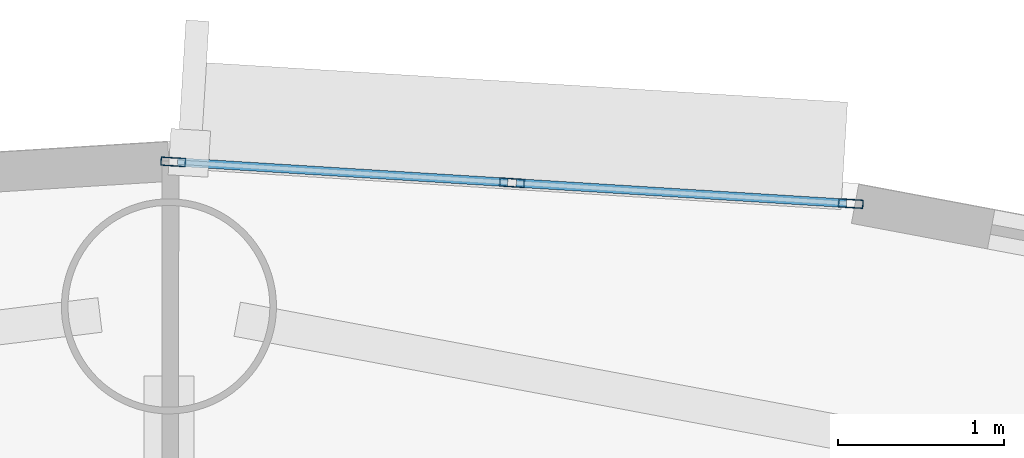
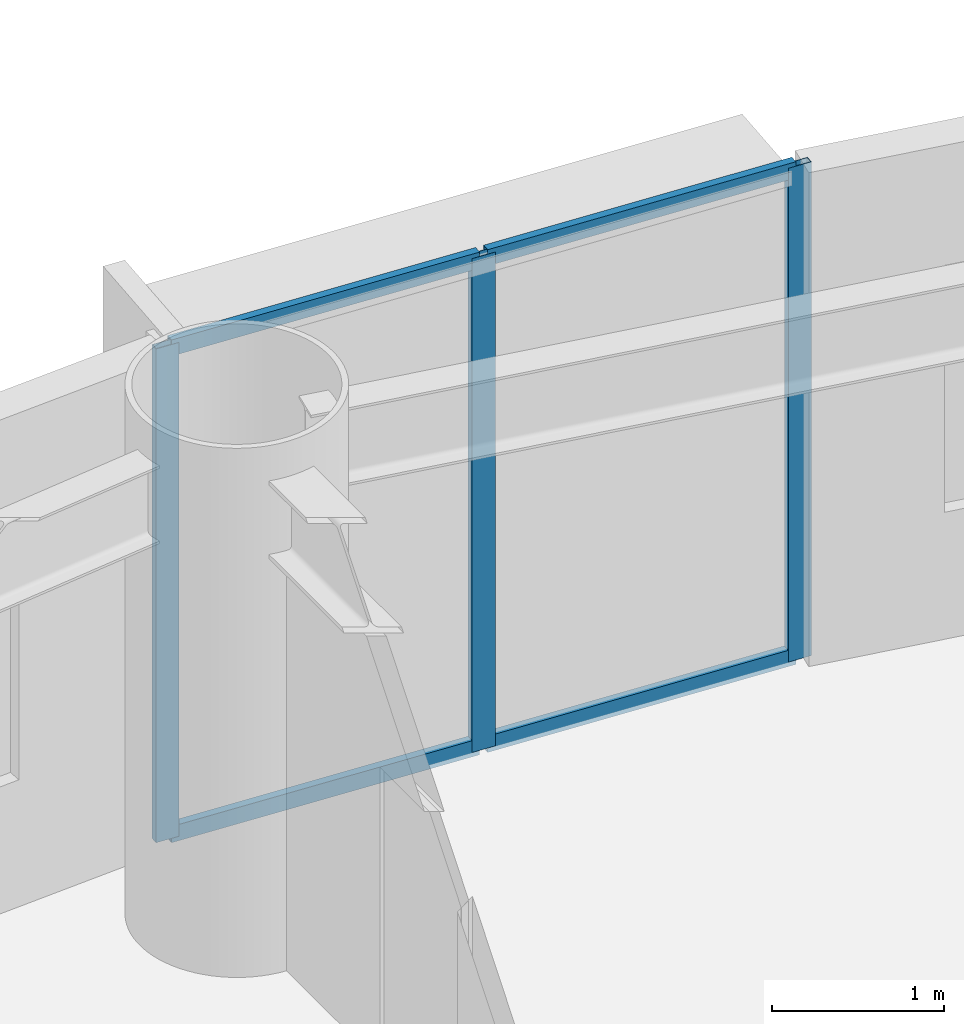
# One storey, part 4 of 18: 7 members, 1 element without a shape of its own.
"""IFC4 building model written with IfcOpenShell, lengths in metres."""

from ifc_helpers import new_model, si_unit, direction, frame, origin, origin_2d, place, context, subcontext, project, spatial, hollow_rectangle, extrude, source, transform, mapped, material, layer, layer_set, material_profile, profile_set, type_object, element, aggregate, save


model = new_model("IFC4")

# Units and contexts
model_context = context("Model", 3, precision=1e-05, world=origin(), true_north=direction((0.0, 1.0)))
body_context = subcontext(model_context, "Body", "Model", "MODEL_VIEW")
ifc_project = project(units=[si_unit("LENGTHUNIT", "METRE"), si_unit("AREAUNIT", "SQUARE_METRE"), si_unit("VOLUMEUNIT", "CUBIC_METRE"), si_unit("PLANEANGLEUNIT", "RADIAN"), si_unit("MASSUNIT", "GRAM", prefix="KILO")], contexts=[model_context])

# Site, building, storey
site_placement = place(None, origin())
site = spatial("IfcSite", under=ifc_project, at=site_placement, CompositionType="ELEMENT")
building_placement = place(site_placement, origin())
building = spatial("IfcBuilding", under=site, at=building_placement, Name="Linh Dai School and Residence Tower", CompositionType="ELEMENT")
storey_placement = place(building_placement, frame((0.0, 0.0, 178.64990234375)))
storey = spatial("IfcBuildingStorey", under=building, at=storey_placement, Name="L43", CompositionType="ELEMENT", Elevation=178.64990234375)

# Curtain wall, members
ifc_material_1 = material(Name="Aluminium Anodised Curtain Wall", Category="aluminium")
ifc_layer = layer(ifc_material_1, 0.14990234375)
ifc_layer_set = layer_set([ifc_layer], Name="Aluminium Anodised Curtain Wall")
curtain_wall_type = type_object("IfcCurtainWallType", Name="CW-SYS-4", PredefinedType="USERDEFINED", material=ifc_layer_set)
curtain_wall_placement = place(storey_placement, origin())
curtain_wall = element("IfcCurtainWall", 1, at=curtain_wall_placement, inside=storey, type_object=curtain_wall_type, Name="L43 CW4 Curtain Wall 10", ObjectType="RIBBON CURTAIN WALL", PredefinedType="USERDEFINED")
ifc_material_2 = material(Name="Aluminium Alloy 6063-T6", Category="aluminium")
ifc_material_profile_1 = material_profile(ifc_material_2, hollow_rectangle(XDim=0.052001953125, YDim=0.14990234375, WallThickness=0.00390625, at=origin_2d()), Name="RHS 150x52x4")
ifc_profile_set_1 = profile_set([ifc_material_profile_1], Name="Aluminium Alloy 6063-T6")
member_type_1 = type_object("IfcMemberType", Name="CW-SYS-4-MUL", PredefinedType="MULLION", material=ifc_profile_set_1)
shared_shape_1 = source(origin(), body_context, "Body", "SweptSolid", [
    extrude(hollow_rectangle(XDim=0.052001953125, YDim=0.14990234375, WallThickness=0.00390625, at=origin_2d()), origin(), (0.0, 0.0, 1.0), 3.5),
])
member_1_placement = place(storey_placement, frame((36.02587890625, 47.703369140625, 0.0), z_axis=(0.0, 0.0, 1.0), x_axis=(0.061512376467, 0.99810632076, 0.0)))
member_1 = element("IfcMember", 2, at=member_1_placement, type_object=member_type_1, Name="CW4 mullion 1", PredefinedType="MULLION", context=body_context, shape_type="MappedRepresentation", body=[
    mapped(shared_shape_1, transform((0.0, 0.0, 0.0), x_axis=(1.0, 0.0, 0.0), y_axis=(0.0, 1.0, 0.0), z_axis=(0.0, 0.0, 1.0), scale=1.0)),
])
member_2_placement = place(storey_placement, frame((38.072998046875, 47.5771484375, 0.0), z_axis=(0.0, 0.0, 1.0), x_axis=(0.061512376467, 0.99810632076, 0.0)))
member_2 = element("IfcMember", 3, at=member_2_placement, type_object=member_type_1, Name="CW4 mullion 2", PredefinedType="MULLION", context=body_context, shape_type="MappedRepresentation", body=[
    mapped(shared_shape_1, transform((0.0, 0.0, 0.0), x_axis=(1.0, 0.0, 0.0), y_axis=(0.0, 1.0, 0.0), z_axis=(0.0, 0.0, 1.0), scale=1.0)),
])
member_3_placement = place(storey_placement, frame((40.119873046875, 47.451171875, 0.0), z_axis=(0.0, 0.0, 1.0), x_axis=(0.061512376467, 0.99810632076, 0.0)))
member_3 = element("IfcMember", 4, at=member_3_placement, type_object=member_type_1, Name="CW4 mullion 3", PredefinedType="MULLION", context=body_context, shape_type="MappedRepresentation", body=[
    mapped(shared_shape_1, transform((0.0, 0.0, 0.0), x_axis=(1.0, 0.0, 0.0), y_axis=(0.0, 1.0, 0.0), z_axis=(0.0, 0.0, 1.0), scale=1.0)),
])
ifc_material_profile_2 = material_profile(ifc_material_2, hollow_rectangle(XDim=0.052001953125, YDim=0.114990234375, WallThickness=0.00390625, at=origin_2d()), Name="RHS 115x52x4")
ifc_profile_set_2 = profile_set([ifc_material_profile_2], Name="Aluminium Alloy 6063-T6")
member_type_2 = type_object("IfcMemberType", Name="CW-SYS-4-TRN", PredefinedType="USERDEFINED", material=ifc_profile_set_2)
shared_shape_2 = source(origin(), body_context, "Body", "SweptSolid", [
    extrude(hollow_rectangle(XDim=0.052001953125, YDim=0.114990234375, WallThickness=0.00390625, at=origin_2d()), origin(), (0.0, 0.0, 1.0), 1.998779296875),
])
member_4_placement = place(storey_placement, frame((36.052001953125, 47.701904296875, 0.026123046875), z_axis=(0.998103103786, -0.061564553214, 0.0), x_axis=(0.061564553214, 0.998103103786, 0.0)))
member_4 = element("IfcMember", 5, at=member_4_placement, type_object=member_type_2, Name="CW4 transom 1.1", ObjectType="TRANSOM", PredefinedType="USERDEFINED", context=body_context, shape_type="MappedRepresentation", body=[
    mapped(shared_shape_2, transform((0.0, 0.0, 0.0), x_axis=(1.0, 0.0, 0.0), y_axis=(0.0, 1.0, 0.0), z_axis=(0.0, 0.0, 1.0), scale=1.0)),
])
member_5_placement = place(storey_placement, frame((36.052001953125, 47.701904296875, 3.47412109375), z_axis=(0.998103103786, -0.061564553214, 0.0), x_axis=(0.061564553214, 0.998103103786, 0.0)))
member_5 = element("IfcMember", 6, at=member_5_placement, type_object=member_type_2, Name="CW4 transom 1.2", ObjectType="TRANSOM", PredefinedType="USERDEFINED", context=body_context, shape_type="MappedRepresentation", body=[
    mapped(shared_shape_2, transform((0.0, 0.0, 0.0), x_axis=(1.0, 0.0, 0.0), y_axis=(0.0, 1.0, 0.0), z_axis=(0.0, 0.0, 1.0), scale=1.0)),
])
member_6_placement = place(storey_placement, frame((38.098876953125, 47.57568359375, 0.026123046875), z_axis=(0.998103103786, -0.061564553214, 0.0), x_axis=(0.061564553214, 0.998103103786, 0.0)))
member_6 = element("IfcMember", 7, at=member_6_placement, type_object=member_type_2, Name="CW4 transom 2.1", ObjectType="TRANSOM", PredefinedType="USERDEFINED", context=body_context, shape_type="MappedRepresentation", body=[
    mapped(shared_shape_2, transform((0.0, 0.0, 0.0), x_axis=(1.0, 0.0, 0.0), y_axis=(0.0, 1.0, 0.0), z_axis=(0.0, 0.0, 1.0), scale=1.0)),
])
member_7_placement = place(storey_placement, frame((38.098876953125, 47.57568359375, 3.47412109375), z_axis=(0.998103103786, -0.061564553214, 0.0), x_axis=(0.061564553214, 0.998103103786, 0.0)))
member_7 = element("IfcMember", 8, at=member_7_placement, type_object=member_type_2, Name="CW4 transom 2.2", ObjectType="TRANSOM", PredefinedType="USERDEFINED", context=body_context, shape_type="MappedRepresentation", body=[
    mapped(shared_shape_2, transform((0.0, 0.0, 0.0), x_axis=(1.0, 0.0, 0.0), y_axis=(0.0, 1.0, 0.0), z_axis=(0.0, 0.0, 1.0), scale=1.0)),
])
aggregate(curtain_wall, [member_1, member_2, member_3, member_4, member_5, member_6, member_7])

save(model, "model.ifc")
